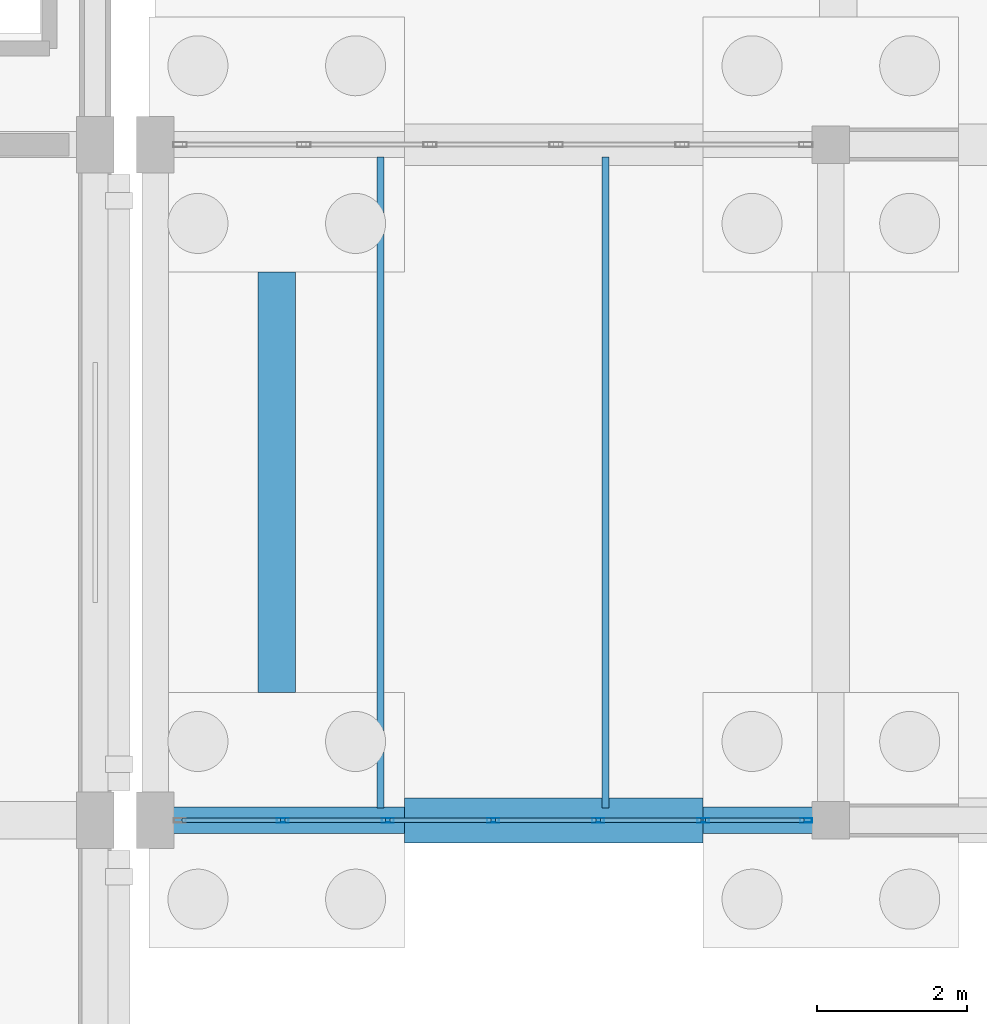
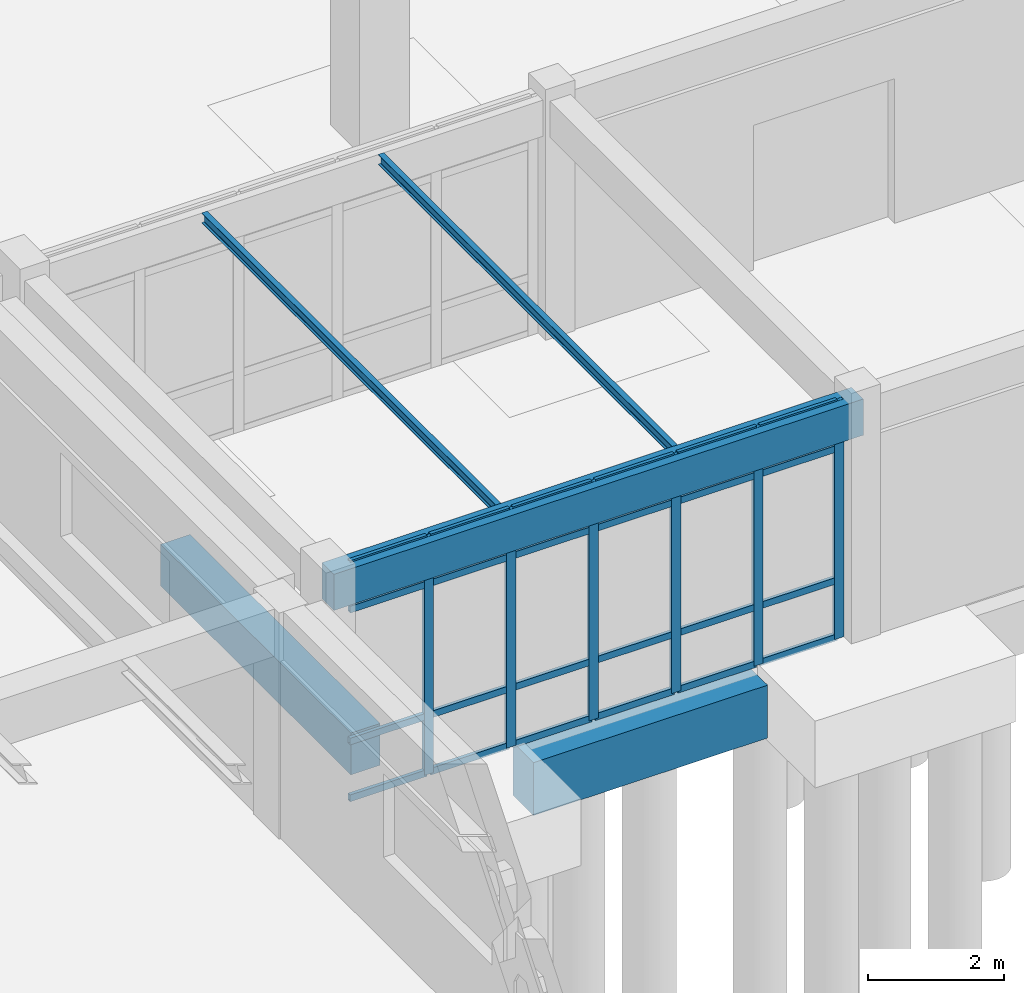
# One storey, part 106 of 186: 30 members, 5 beams, 1 element without a shape of its own.
"""IFC4 building model written with IfcOpenShell, lengths in metres."""

import ifcopenshell
import ifcopenshell.guid

model = None  # the IFC model being written
_history = None  # IfcOwnerHistory: only IFC2X3 demands one
_inside = {}  # id of a spatial element -> (the spatial element, [elements in it])
_under = {}  # id of a project, library or spatial element -> (it, [spatial elements below it])
_declared = {}  # id of a project -> (the project, [libraries it declares])
_typed = {}  # id of a type object -> (the type object, [elements of that type])
_made_of = {}  # id of a material, layer set ... -> (it, [elements and type objects made of it])


def new_model(schema):
    """Start an empty IFC model of exactly this schema.

    Asked for "IFC4X3", IfcOpenShell would pick the latest addendum, in which some entities
    have other attributes; the version numbers below select the first issue.
    IFC2X3 requires an IfcOwnerHistory on every rooted entity: one is made here for all.
    """
    global model, _history
    if schema == "IFC4X3":
        model = ifcopenshell.file(schema_version=(4, 3, 0, 0))
    else:
        model = ifcopenshell.file(schema=schema)
    _inside.clear()
    _under.clear()
    _declared.clear()
    _typed.clear()
    _made_of.clear()
    _history = None
    if model.schema == "IFC2X3":
        org = make("IfcOrganization", Name="unknown")
        user = make(
            "IfcPersonAndOrganization",
            ThePerson=make("IfcPerson", FamilyName="unknown"),
            TheOrganization=org,
        )
        app = make(
            "IfcApplication",
            ApplicationDeveloper=org,
            Version="unknown",
            ApplicationFullName="unknown",
            ApplicationIdentifier="unknown",
        )
        _history = make(
            "IfcOwnerHistory",
            OwningUser=user,
            OwningApplication=app,
            ChangeAction="ADDED",
            CreationDate=0,
        )
    return model


def make(cls, **values):
    """One entity of the class cls with the attributes given. An attribute that is None is left unset."""
    return model.create_entity(
        cls, **{name: value for name, value in values.items() if value is not None}
    )


def rooted(cls, **values):
    """An entity with a GlobalId (a new one), such as an element, a storey or a relation."""
    return make(cls, GlobalId=ifcopenshell.guid.new(), OwnerHistory=_history, **values)


def si_unit(unit_type, name, prefix=None):
    """IfcSIUnit, for example si_unit("LENGTHUNIT", "METRE", prefix="MILLI")."""
    return make("IfcSIUnit", UnitType=unit_type, Prefix=prefix, Name=name)


def assignment(units):
    """IfcUnitAssignment: the units of a project."""
    return None if units is None else make("IfcUnitAssignment", Units=units)


def point(xyz):
    """IfcCartesianPoint."""
    return None if xyz is None else make("IfcCartesianPoint", Coordinates=xyz)


def direction(xyz):
    """IfcDirection."""
    return None if xyz is None else make("IfcDirection", DirectionRatios=xyz)


def frame(location, z_axis=None, x_axis=None):
    """IfcAxis2Placement3D, a coordinate frame: its origin and axes. An axis left out is left unset."""
    return make(
        "IfcAxis2Placement3D",
        Location=point(location),
        Axis=direction(z_axis),
        RefDirection=direction(x_axis),
    )


def frame_2d(location, x_axis=None):
    """IfcAxis2Placement2D, a coordinate frame in the plane: its origin and x axis."""
    return make(
        "IfcAxis2Placement2D", Location=point(location), RefDirection=direction(x_axis)
    )


def origin():
    """The frame at (0, 0, 0) with its axes left unset."""
    return frame((0.0, 0.0, 0.0))


def origin_2d():
    """The frame at (0, 0) in the plane with its x axis left unset."""
    return frame_2d((0.0, 0.0))


def place(relative_to, where):
    """IfcLocalPlacement: puts the frame where relative to a parent placement (None: the world)."""
    return make(
        "IfcLocalPlacement", PlacementRelTo=relative_to, RelativePlacement=where
    )


def context(
    kind, dimensions, precision=None, world=None, true_north=None, identifier=None
):
    """IfcGeometricRepresentationContext, for example the 3D "Model" context."""
    return make(
        "IfcGeometricRepresentationContext",
        ContextIdentifier=identifier,
        ContextType=kind,
        CoordinateSpaceDimension=dimensions,
        Precision=precision,
        WorldCoordinateSystem=world,
        TrueNorth=true_north,
    )


def subcontext(parent, identifier, kind, view, scale=None):
    """IfcGeometricRepresentationSubContext, for example "Body" below "Model"."""
    return make(
        "IfcGeometricRepresentationSubContext",
        ContextIdentifier=identifier,
        ContextType=kind,
        ParentContext=parent,
        TargetScale=scale,
        TargetView=view,
    )


def project(units=None, contexts=None):
    """IfcProject with its units and contexts."""
    return rooted(
        "IfcProject",
        Name="project",
        RepresentationContexts=contexts,
        UnitsInContext=assignment(units),
    )


def spatial(cls, under=None, at=None, **own):
    """A site, building, storey or space (cls), placed at a placement, below another one or the project."""
    s = rooted(cls, ObjectPlacement=at, **own)
    if under is not None:
        _under.setdefault(under.id(), (under, []))[1].append(s)
    return s


def profile(cls, at=None, kind="AREA", **sizes):
    """A parametric profile (cls). Its sizes go by their IFC names, for example OverallWidth=200.0."""
    return make(cls, ProfileType=kind, Position=at, **sizes)


def rectangle(**sizes):
    """IfcRectangleProfileDef."""
    return profile("IfcRectangleProfileDef", **sizes)


def hollow_rectangle(**sizes):
    """IfcRectangleHollowProfileDef."""
    return profile("IfcRectangleHollowProfileDef", **sizes)


def i_section(**sizes):
    """IfcIShapeProfileDef."""
    return profile("IfcIShapeProfileDef", **sizes)


def extrude(swept, where, along, depth):
    """IfcExtrudedAreaSolid: the profile swept, set in the frame where, extruded along a direction by depth."""
    return make(
        "IfcExtrudedAreaSolid",
        SweptArea=swept,
        Position=where,
        ExtrudedDirection=direction(along),
        Depth=depth,
    )


def shape(context_of_items, identifier, shape_type, items):
    """IfcShapeRepresentation: the items that make up one representation, for example the "Body"."""
    return make(
        "IfcShapeRepresentation",
        ContextOfItems=context_of_items,
        RepresentationIdentifier=identifier,
        RepresentationType=shape_type,
        Items=items,
    )


def material(Name=None, Category=None):
    """IfcMaterial."""
    return make("IfcMaterial", Name=Name, Category=Category)


def layer(
    of_material, thickness, ventilated=None, Name=None, Category=None, Priority=None
):
    """IfcMaterialLayer: one layer of a wall or slab, of a material (None: an air gap)."""
    return make(
        "IfcMaterialLayer",
        Material=of_material,
        LayerThickness=thickness,
        IsVentilated=ventilated,
        Name=Name,
        Category=Category,
        Priority=Priority,
    )


def layer_set(layers, Name=None):
    """IfcMaterialLayerSet."""
    return make("IfcMaterialLayerSet", MaterialLayers=layers, LayerSetName=Name)


def material_profile(
    of_material, cross_section, Name=None, Category=None, Priority=None
):
    """IfcMaterialProfile: a cross section and its material."""
    return make(
        "IfcMaterialProfile",
        Name=Name,
        Material=of_material,
        Profile=cross_section,
        Priority=Priority,
        Category=Category,
    )


def profile_set(profiles, Name=None, composite=None):
    """IfcMaterialProfileSet."""
    return make(
        "IfcMaterialProfileSet",
        Name=Name,
        MaterialProfiles=profiles,
        CompositeProfile=composite,
    )


def made_of(thing, what):
    """Note that an element or type object is made of a material, layer set ...; save() writes the relation."""
    if what is not None:
        _made_of.setdefault(what.id(), (what, []))[1].append(thing)
    return thing


def type_object(cls, material=None, **own):
    """A type object (cls), such as IfcWallType, which elements share."""
    return made_of(rooted(cls, **own), material)


def element(
    cls,
    number,
    at=None,
    inside=None,
    cuts=None,
    type_object=None,
    material=None,
    context=None,
    identifier="Body",
    shape_type=None,
    held_by="IfcProductDefinitionShape",
    body=None,
    shapes=None,
    **own,
):
    """One element of the class cls, such as IfcWall. Its Tag is "e" and its number.

    at: its placement. inside: the storey or other place that contains it. cuts: it is an
    opening in that element (IfcRelVoidsElement). A single representation is given by context,
    identifier, shape_type and body (its items); several are given by shapes. held_by: the class
    of the entity that holds the representations. save() writes the other relations.
    """
    e = rooted(cls, Tag="e%d" % number, ObjectPlacement=at, **own)
    if body is not None:
        shapes = [shape(context, identifier, shape_type, body)]
    if shapes is not None:
        e.Representation = make(held_by, Representations=shapes)
    if inside is not None:
        _inside.setdefault(inside.id(), (inside, []))[1].append(e)
    if cuts is not None:
        rooted(
            "IfcRelVoidsElement", RelatingBuildingElement=cuts, RelatedOpeningElement=e
        )
    if type_object is not None:
        _typed.setdefault(type_object.id(), (type_object, []))[1].append(e)
    return made_of(e, material)


def aggregate(whole, parts):
    """IfcRelAggregates: a whole, such as a stair, and the parts it consists of."""
    return rooted("IfcRelAggregates", RelatingObject=whole, RelatedObjects=parts)


def save(model, path):
    """Write the relations noted so far, then the file.

    IfcRelAggregates (storeys below a building ...), IfcRelContainedInSpatialStructure (elements
    in a storey), IfcRelDefinesByType, IfcRelAssociatesMaterial and IfcRelDeclares: one each for
    every whole, place, type object, material and project.
    """
    for whole, parts in _under.values():
        aggregate(whole, parts)
    for where, things in _inside.values():
        rooted(
            "IfcRelContainedInSpatialStructure",
            RelatedElements=things,
            RelatingStructure=where,
        )
    for kind, things in _typed.values():
        rooted("IfcRelDefinesByType", RelatedObjects=things, RelatingType=kind)
    for what, things in _made_of.values():
        rooted("IfcRelAssociatesMaterial", RelatedObjects=things, RelatingMaterial=what)
    for by, libraries in _declared.values():
        rooted("IfcRelDeclares", RelatingContext=by, RelatedDefinitions=libraries)
    model.write(path)


model = new_model("IFC4")

# Units and contexts
model_context = context("Model", 3, precision=1e-05, world=origin(), true_north=direction((0.0, 1.0)))
body_context = subcontext(model_context, "Body", "Model", "MODEL_VIEW")
ifc_project = project(units=[si_unit("LENGTHUNIT", "METRE"), si_unit("AREAUNIT", "SQUARE_METRE"), si_unit("VOLUMEUNIT", "CUBIC_METRE"), si_unit("PLANEANGLEUNIT", "RADIAN"), si_unit("MASSUNIT", "GRAM", prefix="KILO")], contexts=[model_context])

# Site, building, storey
site_placement = place(None, origin())
site = spatial("IfcSite", under=ifc_project, at=site_placement, CompositionType="ELEMENT")
building_placement = place(site_placement, origin())
building = spatial("IfcBuilding", under=site, at=building_placement, Name="Ornek Quay Market", CompositionType="ELEMENT")
storey_placement = place(building_placement, origin())
storey = spatial("IfcBuildingStorey", under=building, at=storey_placement, Name="L00", CompositionType="ELEMENT", Elevation=0.0)

# Beams
ifc_material_1 = material(Name="Concrete C35/45", Category="concrete")
ifc_material_profile_1 = material_profile(ifc_material_1, rectangle(XDim=0.35009765625, YDim=0.64990234375, at=origin_2d()), Name="RC 350x650", Category="concrete")
ifc_profile_set_1 = profile_set([ifc_material_profile_1], Name="Concrete C35/45")
beam_type_1 = type_object("IfcBeamType", Name="BM-CONC-350x650", PredefinedType="BEAM", material=ifc_profile_set_1)
beam_1_placement = place(storey_placement, frame((126.0, 20.0, 3.945068359375), z_axis=(1.0, 0.0, 0.0), x_axis=(0.0, 1.0, 0.0)))
element("IfcBeam", 1, at=beam_1_placement, inside=storey, type_object=beam_type_1, Name="Primary beam B-CN1-087", PredefinedType="BEAM", context=body_context, shape_type="SweptSolid", body=[
    extrude(rectangle(XDim=0.35009765625, YDim=0.64990234375, at=origin_2d()), origin(), (0.0, 0.0, 1.0), 9.0),
])
ifc_material_profile_2 = material_profile(ifc_material_1, rectangle(XDim=0.5, YDim=0.75, at=origin_2d()), Name="RC 500x750", Category="concrete")
ifc_profile_set_2 = profile_set([ifc_material_profile_2], Name="Concrete C35/45")
beam_type_2 = type_object("IfcBeamType", Name="BM-GB-500x750", PredefinedType="BEAM", material=ifc_profile_set_2)
beam_2_placement = place(storey_placement, frame((127.6201171875, 21.699951171875, -0.574951171875), z_axis=(0.0, 1.0, 0.0), x_axis=(-1.0, 0.0, 0.0)))
element("IfcBeam", 2, at=beam_2_placement, inside=storey, type_object=beam_type_2, Name="Ground tie beam GB-362", PredefinedType="BEAM", context=body_context, shape_type="SweptSolid", body=[
    extrude(rectangle(XDim=0.5, YDim=0.75, at=origin_2d()), origin(), (0.0, 0.0, 1.0), 5.60009765625),
])
ifc_material_profile_3 = material_profile(ifc_material_1, rectangle(XDim=0.60009765625, YDim=0.949951171875, at=origin_2d()), Name="RC 600x950", Category="concrete")
ifc_profile_set_3 = profile_set([ifc_material_profile_3], Name="Concrete C35/45")
beam_type_3 = type_object("IfcBeamType", Name="BM-GB-600x950", PredefinedType="BEAM", material=ifc_profile_set_3)
beam_3_placement = place(storey_placement, frame((129.320068359375, 20.0, -0.675048828125), z_axis=(1.0, 0.0, 0.0), x_axis=(0.0, 1.0, 0.0)))
element("IfcBeam", 3, at=beam_3_placement, inside=storey, type_object=beam_type_3, Name="Ground tie beam GB-307", PredefinedType="BEAM", context=body_context, shape_type="SweptSolid", body=[
    extrude(rectangle(XDim=0.60009765625, YDim=0.949951171875, at=origin_2d()), origin(), (0.0, 0.0, 1.0), 3.97998046875),
])
ifc_material_2 = material(Name="Steel S355", Category="steel")
ifc_material_profile_4 = material_profile(ifc_material_2, i_section(OverallWidth=0.091064453125, OverallDepth=0.179931640625, WebThickness=0.00537109375, FlangeThickness=0.008056640625, FilletRadius=0.009033203125, at=origin_2d()), Name="IPE 180", Category="steel")
ifc_profile_set_4 = profile_set([ifc_material_profile_4], Name="Steel S355")
beam_type_4 = type_object("IfcBeamType", Name="BM-STL-IPE180", PredefinedType="JOIST", material=ifc_profile_set_4)
for number, where, z_axis, x_axis, name in (
    (4, (129.0, 20.1669921875, 4.179931640625), (0.0, 1.0, 0.0), (-1.0, 0.0, 0.0), "Secondary joist SB-01-013"),
    (5, (132.0, 20.1669921875, 4.179931640625), (0.0, 1.0, 0.0), (-1.0, 0.0, 0.0), "Secondary joist SB-01-014"),
):
    element("IfcBeam", number, at=place(storey_placement, frame(where, z_axis=z_axis, x_axis=x_axis)), inside=storey, type_object=beam_type_4, Name=name, PredefinedType="JOIST", context=body_context, shape_type="SweptSolid", body=[
        extrude(i_section(OverallWidth=0.091064453125, OverallDepth=0.179931640625, WebThickness=0.00537109375, FlangeThickness=0.008056640625, FilletRadius=0.009033203125, at=origin_2d()), origin(), (0.0, 0.0, 1.0), 8.666015625),
    ])

# Curtain wall, members
ifc_material_3 = material(Name="Anodised bronze aluminium and triple low-e glass", Category="aluminium")
ifc_layer = layer(ifc_material_3, 0.179931640625, Name="Anodised bronze aluminium and triple low-e glass", Category="aluminium")
ifc_layer_set = layer_set([ifc_layer], Name="Anodised bronze aluminium and triple low-e glass")
curtain_wall_type = type_object("IfcCurtainWallType", Name="CW-CONC-MOD1500", PredefinedType="USERDEFINED", material=ifc_layer_set)
curtain_wall_placement = place(storey_placement, origin())
curtain_wall = element("IfcCurtainWall", 6, at=curtain_wall_placement, inside=storey, type_object=curtain_wall_type, Name="Curtain wall CW-028", ObjectType="CURTAIN WALL", PredefinedType="USERDEFINED")
ifc_material_4 = material(Name="Anodised aluminium 6063-T6", Category="aluminium")
ifc_material_profile_5 = material_profile(ifc_material_4, hollow_rectangle(XDim=0.06005859375, YDim=0.159912109375, WallThickness=0.00390625, at=origin_2d()), Name="CW-MUL-60x160", Category="aluminium")
ifc_profile_set_5 = profile_set([ifc_material_profile_5], Name="Anodised aluminium 6063-T6")
member_type_1 = type_object("IfcMemberType", Name="CW-MUL-60x160", PredefinedType="MULLION", material=ifc_profile_set_5)
member_1_placement = place(storey_placement, frame((127.699951171875, 20.0, 0.0), z_axis=(0.0, 0.0, 1.0), x_axis=(0.0, 1.0, 0.0)))
member_1 = element("IfcMember", 7, at=member_1_placement, type_object=member_type_1, Name="CW-028 mullion 2", PredefinedType="MULLION", context=body_context, shape_type="SweptSolid", body=[
    extrude(hollow_rectangle(XDim=0.06005859375, YDim=0.159912109375, WallThickness=0.00390625, at=origin_2d()), origin(), (0.0, 0.0, 1.0), 4.27001953125),
])
member_2_placement = place(storey_placement, frame((129.10009765625, 20.0, 0.0), z_axis=(0.0, 0.0, 1.0), x_axis=(0.0, 1.0, 0.0)))
member_2 = element("IfcMember", 8, at=member_2_placement, type_object=member_type_1, Name="CW-028 mullion 3", PredefinedType="MULLION", context=body_context, shape_type="SweptSolid", body=[
    extrude(hollow_rectangle(XDim=0.06005859375, YDim=0.159912109375, WallThickness=0.00390625, at=origin_2d()), origin(), (0.0, 0.0, 1.0), 4.27001953125),
])
member_3_placement = place(storey_placement, frame((130.5, 20.0, 0.0), z_axis=(0.0, 0.0, 1.0), x_axis=(0.0, 1.0, 0.0)))
member_3 = element("IfcMember", 9, at=member_3_placement, type_object=member_type_1, Name="CW-028 mullion 4", PredefinedType="MULLION", context=body_context, shape_type="SweptSolid", body=[
    extrude(hollow_rectangle(XDim=0.06005859375, YDim=0.159912109375, WallThickness=0.00390625, at=origin_2d()), origin(), (0.0, 0.0, 1.0), 4.27001953125),
])
member_4_placement = place(storey_placement, frame((131.89990234375, 20.0, 0.0), z_axis=(0.0, 0.0, 1.0), x_axis=(0.0, 1.0, 0.0)))
member_4 = element("IfcMember", 10, at=member_4_placement, type_object=member_type_1, Name="CW-028 mullion 5", PredefinedType="MULLION", context=body_context, shape_type="SweptSolid", body=[
    extrude(hollow_rectangle(XDim=0.06005859375, YDim=0.159912109375, WallThickness=0.00390625, at=origin_2d()), origin(), (0.0, 0.0, 1.0), 4.27001953125),
])
member_5_placement = place(storey_placement, frame((133.300048828125, 20.0, 0.0), z_axis=(0.0, 0.0, 1.0), x_axis=(0.0, 1.0, 0.0)))
member_5 = element("IfcMember", 11, at=member_5_placement, type_object=member_type_1, Name="CW-028 mullion 6", PredefinedType="MULLION", context=body_context, shape_type="SweptSolid", body=[
    extrude(hollow_rectangle(XDim=0.06005859375, YDim=0.159912109375, WallThickness=0.00390625, at=origin_2d()), origin(), (0.0, 0.0, 1.0), 4.27001953125),
])
member_6_placement = place(storey_placement, frame((134.669921875, 20.0, 0.0), z_axis=(0.0, 0.0, 1.0), x_axis=(0.0, 1.0, 0.0)))
member_6 = element("IfcMember", 12, at=member_6_placement, type_object=member_type_1, Name="CW-028 mullion 7", PredefinedType="MULLION", context=body_context, shape_type="SweptSolid", body=[
    extrude(hollow_rectangle(XDim=0.06005859375, YDim=0.159912109375, WallThickness=0.00390625, at=origin_2d()), origin(), (0.0, 0.0, 1.0), 4.27001953125),
])
ifc_material_profile_6 = material_profile(ifc_material_4, hollow_rectangle(XDim=0.06005859375, YDim=0.1201171875, WallThickness=0.00390625, at=origin_2d()), Name="CW-TRN-60x120", Category="aluminium")
ifc_profile_set_6 = profile_set([ifc_material_profile_6], Name="Anodised aluminium 6063-T6")
member_type_2 = type_object("IfcMemberType", Name="CW-TRN-60x120", PredefinedType="USERDEFINED", material=ifc_profile_set_6)
member_7_placement = place(storey_placement, frame((126.360107421875, 20.0, 0.030029296875), z_axis=(1.0, 0.0, 0.0), x_axis=(0.0, 1.0, 0.0)))
member_7 = element("IfcMember", 13, at=member_7_placement, type_object=member_type_2, Name="CW-028 transom 1.1", ObjectType="TRANSOM", PredefinedType="USERDEFINED", context=body_context, shape_type="SweptSolid", body=[
    extrude(hollow_rectangle(XDim=0.06005859375, YDim=0.1201171875, WallThickness=0.00390625, at=origin_2d()), origin(), (0.0, 0.0, 1.0), 1.309814453125),
])
member_8_placement = place(storey_placement, frame((126.360107421875, 20.0, 1.050048828125), z_axis=(1.0, 0.0, 0.0), x_axis=(0.0, 1.0, 0.0)))
member_8 = element("IfcMember", 14, at=member_8_placement, type_object=member_type_2, Name="CW-028 transom 1.2", ObjectType="TRANSOM", PredefinedType="USERDEFINED", context=body_context, shape_type="SweptSolid", body=[
    extrude(hollow_rectangle(XDim=0.06005859375, YDim=0.1201171875, WallThickness=0.00390625, at=origin_2d()), origin(), (0.0, 0.0, 1.0), 1.309814453125),
])
member_9_placement = place(storey_placement, frame((126.360107421875, 20.0, 3.419921875), z_axis=(1.0, 0.0, 0.0), x_axis=(0.0, 1.0, 0.0)))
member_9 = element("IfcMember", 15, at=member_9_placement, type_object=member_type_2, Name="CW-028 transom 1.3", ObjectType="TRANSOM", PredefinedType="USERDEFINED", context=body_context, shape_type="SweptSolid", body=[
    extrude(hollow_rectangle(XDim=0.06005859375, YDim=0.1201171875, WallThickness=0.00390625, at=origin_2d()), origin(), (0.0, 0.0, 1.0), 1.309814453125),
])
member_10_placement = place(storey_placement, frame((126.360107421875, 20.0, 4.239990234375), z_axis=(1.0, 0.0, 0.0), x_axis=(0.0, 1.0, 0.0)))
member_10 = element("IfcMember", 16, at=member_10_placement, type_object=member_type_2, Name="CW-028 transom 1.4", ObjectType="TRANSOM", PredefinedType="USERDEFINED", context=body_context, shape_type="SweptSolid", body=[
    extrude(hollow_rectangle(XDim=0.06005859375, YDim=0.1201171875, WallThickness=0.00390625, at=origin_2d()), origin(), (0.0, 0.0, 1.0), 1.309814453125),
])
member_11_placement = place(storey_placement, frame((127.72998046875, 20.0, 0.030029296875), z_axis=(1.0, 0.0, 0.0), x_axis=(0.0, 1.0, 0.0)))
member_11 = element("IfcMember", 17, at=member_11_placement, type_object=member_type_2, Name="CW-028 transom 2.1", ObjectType="TRANSOM", PredefinedType="USERDEFINED", context=body_context, shape_type="SweptSolid", body=[
    extrude(hollow_rectangle(XDim=0.06005859375, YDim=0.1201171875, WallThickness=0.00390625, at=origin_2d()), origin(), (0.0, 0.0, 1.0), 1.340087890625),
])
member_12_placement = place(storey_placement, frame((127.72998046875, 20.0, 1.050048828125), z_axis=(1.0, 0.0, 0.0), x_axis=(0.0, 1.0, 0.0)))
member_12 = element("IfcMember", 18, at=member_12_placement, type_object=member_type_2, Name="CW-028 transom 2.2", ObjectType="TRANSOM", PredefinedType="USERDEFINED", context=body_context, shape_type="SweptSolid", body=[
    extrude(hollow_rectangle(XDim=0.06005859375, YDim=0.1201171875, WallThickness=0.00390625, at=origin_2d()), origin(), (0.0, 0.0, 1.0), 1.340087890625),
])
member_13_placement = place(storey_placement, frame((127.72998046875, 20.0, 3.419921875), z_axis=(1.0, 0.0, 0.0), x_axis=(0.0, 1.0, 0.0)))
member_13 = element("IfcMember", 19, at=member_13_placement, type_object=member_type_2, Name="CW-028 transom 2.3", ObjectType="TRANSOM", PredefinedType="USERDEFINED", context=body_context, shape_type="SweptSolid", body=[
    extrude(hollow_rectangle(XDim=0.06005859375, YDim=0.1201171875, WallThickness=0.00390625, at=origin_2d()), origin(), (0.0, 0.0, 1.0), 1.340087890625),
])
member_14_placement = place(storey_placement, frame((127.72998046875, 20.0, 4.239990234375), z_axis=(1.0, 0.0, 0.0), x_axis=(0.0, 1.0, 0.0)))
member_14 = element("IfcMember", 20, at=member_14_placement, type_object=member_type_2, Name="CW-028 transom 2.4", ObjectType="TRANSOM", PredefinedType="USERDEFINED", context=body_context, shape_type="SweptSolid", body=[
    extrude(hollow_rectangle(XDim=0.06005859375, YDim=0.1201171875, WallThickness=0.00390625, at=origin_2d()), origin(), (0.0, 0.0, 1.0), 1.340087890625),
])
member_15_placement = place(storey_placement, frame((129.1298828125, 20.0, 0.030029296875), z_axis=(1.0, 0.0, 0.0), x_axis=(0.0, 1.0, 0.0)))
member_15 = element("IfcMember", 21, at=member_15_placement, type_object=member_type_2, Name="CW-028 transom 3.1", ObjectType="TRANSOM", PredefinedType="USERDEFINED", context=body_context, shape_type="SweptSolid", body=[
    extrude(hollow_rectangle(XDim=0.06005859375, YDim=0.1201171875, WallThickness=0.00390625, at=origin_2d()), origin(), (0.0, 0.0, 1.0), 1.340087890625),
])
member_16_placement = place(storey_placement, frame((129.1298828125, 20.0, 1.050048828125), z_axis=(1.0, 0.0, 0.0), x_axis=(0.0, 1.0, 0.0)))
member_16 = element("IfcMember", 22, at=member_16_placement, type_object=member_type_2, Name="CW-028 transom 3.2", ObjectType="TRANSOM", PredefinedType="USERDEFINED", context=body_context, shape_type="SweptSolid", body=[
    extrude(hollow_rectangle(XDim=0.06005859375, YDim=0.1201171875, WallThickness=0.00390625, at=origin_2d()), origin(), (0.0, 0.0, 1.0), 1.340087890625),
])
member_17_placement = place(storey_placement, frame((129.1298828125, 20.0, 3.419921875), z_axis=(1.0, 0.0, 0.0), x_axis=(0.0, 1.0, 0.0)))
member_17 = element("IfcMember", 23, at=member_17_placement, type_object=member_type_2, Name="CW-028 transom 3.3", ObjectType="TRANSOM", PredefinedType="USERDEFINED", context=body_context, shape_type="SweptSolid", body=[
    extrude(hollow_rectangle(XDim=0.06005859375, YDim=0.1201171875, WallThickness=0.00390625, at=origin_2d()), origin(), (0.0, 0.0, 1.0), 1.340087890625),
])
member_18_placement = place(storey_placement, frame((129.1298828125, 20.0, 4.239990234375), z_axis=(1.0, 0.0, 0.0), x_axis=(0.0, 1.0, 0.0)))
member_18 = element("IfcMember", 24, at=member_18_placement, type_object=member_type_2, Name="CW-028 transom 3.4", ObjectType="TRANSOM", PredefinedType="USERDEFINED", context=body_context, shape_type="SweptSolid", body=[
    extrude(hollow_rectangle(XDim=0.06005859375, YDim=0.1201171875, WallThickness=0.00390625, at=origin_2d()), origin(), (0.0, 0.0, 1.0), 1.340087890625),
])
member_19_placement = place(storey_placement, frame((130.530029296875, 20.0, 0.030029296875), z_axis=(1.0, 0.0, 0.0), x_axis=(0.0, 1.0, 0.0)))
member_19 = element("IfcMember", 25, at=member_19_placement, type_object=member_type_2, Name="CW-028 transom 4.1", ObjectType="TRANSOM", PredefinedType="USERDEFINED", context=body_context, shape_type="SweptSolid", body=[
    extrude(hollow_rectangle(XDim=0.06005859375, YDim=0.1201171875, WallThickness=0.00390625, at=origin_2d()), origin(), (0.0, 0.0, 1.0), 1.340087890625),
])
member_20_placement = place(storey_placement, frame((130.530029296875, 20.0, 1.050048828125), z_axis=(1.0, 0.0, 0.0), x_axis=(0.0, 1.0, 0.0)))
member_20 = element("IfcMember", 26, at=member_20_placement, type_object=member_type_2, Name="CW-028 transom 4.2", ObjectType="TRANSOM", PredefinedType="USERDEFINED", context=body_context, shape_type="SweptSolid", body=[
    extrude(hollow_rectangle(XDim=0.06005859375, YDim=0.1201171875, WallThickness=0.00390625, at=origin_2d()), origin(), (0.0, 0.0, 1.0), 1.340087890625),
])
member_21_placement = place(storey_placement, frame((130.530029296875, 20.0, 3.419921875), z_axis=(1.0, 0.0, 0.0), x_axis=(0.0, 1.0, 0.0)))
member_21 = element("IfcMember", 27, at=member_21_placement, type_object=member_type_2, Name="CW-028 transom 4.3", ObjectType="TRANSOM", PredefinedType="USERDEFINED", context=body_context, shape_type="SweptSolid", body=[
    extrude(hollow_rectangle(XDim=0.06005859375, YDim=0.1201171875, WallThickness=0.00390625, at=origin_2d()), origin(), (0.0, 0.0, 1.0), 1.340087890625),
])
member_22_placement = place(storey_placement, frame((130.530029296875, 20.0, 4.239990234375), z_axis=(1.0, 0.0, 0.0), x_axis=(0.0, 1.0, 0.0)))
member_22 = element("IfcMember", 28, at=member_22_placement, type_object=member_type_2, Name="CW-028 transom 4.4", ObjectType="TRANSOM", PredefinedType="USERDEFINED", context=body_context, shape_type="SweptSolid", body=[
    extrude(hollow_rectangle(XDim=0.06005859375, YDim=0.1201171875, WallThickness=0.00390625, at=origin_2d()), origin(), (0.0, 0.0, 1.0), 1.340087890625),
])
member_23_placement = place(storey_placement, frame((131.929931640625, 20.0, 0.030029296875), z_axis=(1.0, 0.0, 0.0), x_axis=(0.0, 1.0, 0.0)))
member_23 = element("IfcMember", 29, at=member_23_placement, type_object=member_type_2, Name="CW-028 transom 5.1", ObjectType="TRANSOM", PredefinedType="USERDEFINED", context=body_context, shape_type="SweptSolid", body=[
    extrude(hollow_rectangle(XDim=0.06005859375, YDim=0.1201171875, WallThickness=0.00390625, at=origin_2d()), origin(), (0.0, 0.0, 1.0), 1.340087890625),
])
member_24_placement = place(storey_placement, frame((131.929931640625, 20.0, 1.050048828125), z_axis=(1.0, 0.0, 0.0), x_axis=(0.0, 1.0, 0.0)))
member_24 = element("IfcMember", 30, at=member_24_placement, type_object=member_type_2, Name="CW-028 transom 5.2", ObjectType="TRANSOM", PredefinedType="USERDEFINED", context=body_context, shape_type="SweptSolid", body=[
    extrude(hollow_rectangle(XDim=0.06005859375, YDim=0.1201171875, WallThickness=0.00390625, at=origin_2d()), origin(), (0.0, 0.0, 1.0), 1.340087890625),
])
member_25_placement = place(storey_placement, frame((131.929931640625, 20.0, 3.419921875), z_axis=(1.0, 0.0, 0.0), x_axis=(0.0, 1.0, 0.0)))
member_25 = element("IfcMember", 31, at=member_25_placement, type_object=member_type_2, Name="CW-028 transom 5.3", ObjectType="TRANSOM", PredefinedType="USERDEFINED", context=body_context, shape_type="SweptSolid", body=[
    extrude(hollow_rectangle(XDim=0.06005859375, YDim=0.1201171875, WallThickness=0.00390625, at=origin_2d()), origin(), (0.0, 0.0, 1.0), 1.340087890625),
])
member_26_placement = place(storey_placement, frame((131.929931640625, 20.0, 4.239990234375), z_axis=(1.0, 0.0, 0.0), x_axis=(0.0, 1.0, 0.0)))
member_26 = element("IfcMember", 32, at=member_26_placement, type_object=member_type_2, Name="CW-028 transom 5.4", ObjectType="TRANSOM", PredefinedType="USERDEFINED", context=body_context, shape_type="SweptSolid", body=[
    extrude(hollow_rectangle(XDim=0.06005859375, YDim=0.1201171875, WallThickness=0.00390625, at=origin_2d()), origin(), (0.0, 0.0, 1.0), 1.340087890625),
])
member_27_placement = place(storey_placement, frame((133.330078125, 20.0, 0.030029296875), z_axis=(1.0, 0.0, 0.0), x_axis=(0.0, 1.0, 0.0)))
member_27 = element("IfcMember", 33, at=member_27_placement, type_object=member_type_2, Name="CW-028 transom 6.1", ObjectType="TRANSOM", PredefinedType="USERDEFINED", context=body_context, shape_type="SweptSolid", body=[
    extrude(hollow_rectangle(XDim=0.06005859375, YDim=0.1201171875, WallThickness=0.00390625, at=origin_2d()), origin(), (0.0, 0.0, 1.0), 1.309814453125),
])
member_28_placement = place(storey_placement, frame((133.330078125, 20.0, 1.050048828125), z_axis=(1.0, 0.0, 0.0), x_axis=(0.0, 1.0, 0.0)))
member_28 = element("IfcMember", 34, at=member_28_placement, type_object=member_type_2, Name="CW-028 transom 6.2", ObjectType="TRANSOM", PredefinedType="USERDEFINED", context=body_context, shape_type="SweptSolid", body=[
    extrude(hollow_rectangle(XDim=0.06005859375, YDim=0.1201171875, WallThickness=0.00390625, at=origin_2d()), origin(), (0.0, 0.0, 1.0), 1.309814453125),
])
member_29_placement = place(storey_placement, frame((133.330078125, 20.0, 3.419921875), z_axis=(1.0, 0.0, 0.0), x_axis=(0.0, 1.0, 0.0)))
member_29 = element("IfcMember", 35, at=member_29_placement, type_object=member_type_2, Name="CW-028 transom 6.3", ObjectType="TRANSOM", PredefinedType="USERDEFINED", context=body_context, shape_type="SweptSolid", body=[
    extrude(hollow_rectangle(XDim=0.06005859375, YDim=0.1201171875, WallThickness=0.00390625, at=origin_2d()), origin(), (0.0, 0.0, 1.0), 1.309814453125),
])
member_30_placement = place(storey_placement, frame((133.330078125, 20.0, 4.239990234375), z_axis=(1.0, 0.0, 0.0), x_axis=(0.0, 1.0, 0.0)))
member_30 = element("IfcMember", 36, at=member_30_placement, type_object=member_type_2, Name="CW-028 transom 6.4", ObjectType="TRANSOM", PredefinedType="USERDEFINED", context=body_context, shape_type="SweptSolid", body=[
    extrude(hollow_rectangle(XDim=0.06005859375, YDim=0.1201171875, WallThickness=0.00390625, at=origin_2d()), origin(), (0.0, 0.0, 1.0), 1.309814453125),
])
aggregate(curtain_wall, [member_1, member_2, member_3, member_4, member_5, member_6, member_7, member_8, member_9, member_10, member_11, member_12, member_13, member_14, member_15, member_16, member_17, member_18, member_19, member_20, member_21, member_22, member_23, member_24, member_25, member_26, member_27, member_28, member_29, member_30])

save(model, "model.ifc")
